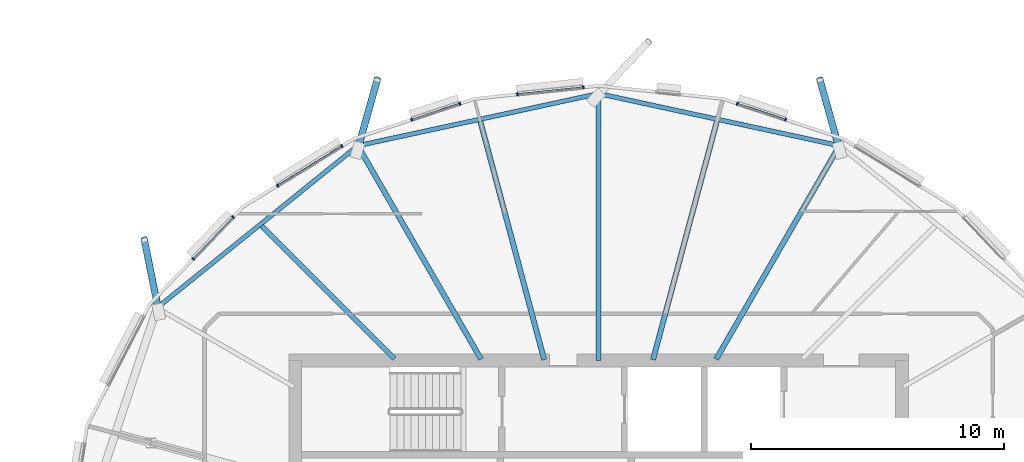
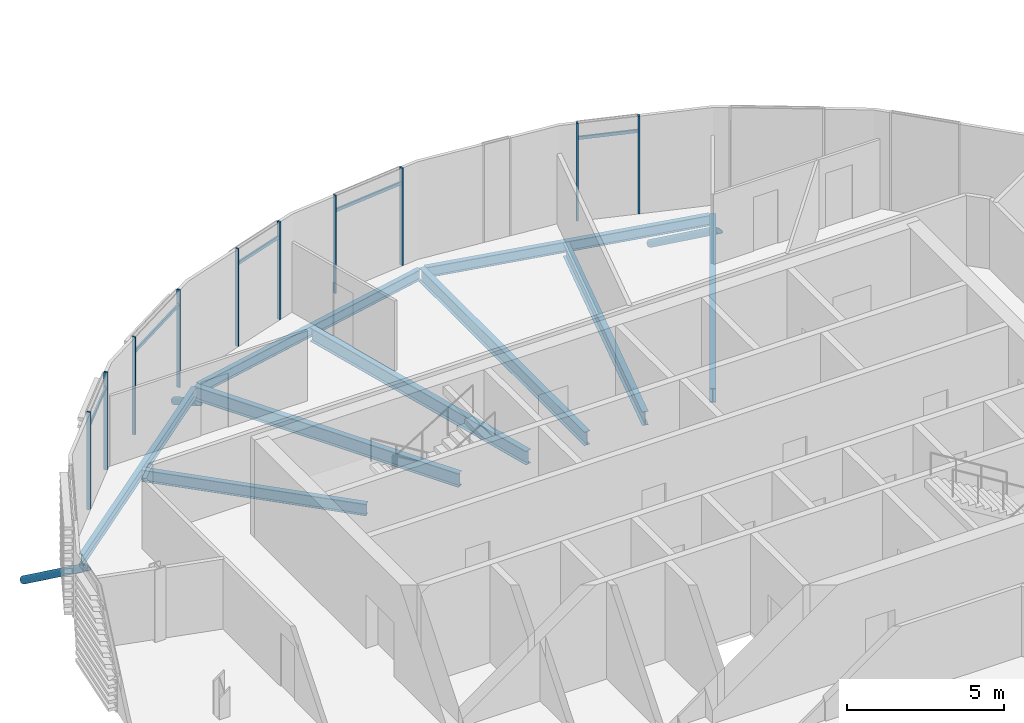
# One storey, part 7 of 41: 18 members, 9 beams, 1 element without a shape of its own.
"""IFC4 building model written with IfcOpenShell, lengths in metres."""

from ifc_helpers import new_model, si_unit, direction, frame, origin, origin_2d, place, context, subcontext, project, spatial, rectangle, hollow_circle, i_section, extrude, clip, halfspace, material, material_profile, profile_set, type_object, element, aggregate, save


model = new_model("IFC4")

# Units and contexts
model_context = context("Model", 3, precision=1e-05, world=origin(), true_north=direction((0.0, 1.0)))
body_context = subcontext(model_context, "Body", "Model", "MODEL_VIEW")
ifc_project = project(units=[si_unit("LENGTHUNIT", "METRE"), si_unit("AREAUNIT", "SQUARE_METRE"), si_unit("VOLUMEUNIT", "CUBIC_METRE"), si_unit("PLANEANGLEUNIT", "RADIAN"), si_unit("MASSUNIT", "GRAM", prefix="KILO")], contexts=[model_context])

# Site, building, storey
site_placement = place(None, origin())
site = spatial("IfcSite", under=ifc_project, at=site_placement, CompositionType="ELEMENT")
building_placement = place(site_placement, origin())
building = spatial("IfcBuilding", under=site, at=building_placement, Name="Rimbun Link Towers", CompositionType="ELEMENT")
storey_placement = place(building_placement, frame((0.0, 0.0, 214.300048828125)))
storey = spatial("IfcBuildingStorey", under=building, at=storey_placement, Name="L52", CompositionType="ELEMENT", Elevation=214.300048828125)

# Curtain wall, members
ifc_material_1 = material(Name="Aluminium 6063-T6 and low-iron glass", Category="aluminium")
curtain_wall_type = type_object("IfcCurtainWallType", Name="CW1-Z4 unitised vision wall (zone 4)", PredefinedType="NOTDEFINED", material=ifc_material_1)
curtain_wall_placement = place(storey_placement, origin())
curtain_wall = element("IfcCurtainWall", 1, at=curtain_wall_placement, inside=storey, type_object=curtain_wall_type, Name="CW1 L52 T1", PredefinedType="NOTDEFINED")
ifc_material_2 = material(Name="Aluminium 6063-T6", Category="aluminium")
ifc_material_profile_1 = material_profile(ifc_material_2, rectangle(XDim=0.1201171875, YDim=0.06005859375, at=origin_2d()), Name="MULLION 60X120")
ifc_profile_set_1 = profile_set([ifc_material_profile_1], Name="Aluminium 6063-T6")
member_type_1 = type_object("IfcMemberType", Name="CW1 mullion 60X120", PredefinedType="MULLION", material=ifc_profile_set_1)
member_1_placement = place(storey_placement, frame((-26.261474609375, 18.156005859375, 0.0), z_axis=(0.0, 0.0, 1.0), x_axis=(0.314578449635, 0.949231478105, 0.0)))
member_1 = element("IfcMember", 2, at=member_1_placement, type_object=member_type_1, Name="CW1 mullion", PredefinedType="MULLION", context=body_context, shape_type="SweptSolid", body=[
    extrude(rectangle(XDim=0.1201171875, YDim=0.06005859375, at=origin_2d()), origin(), (0.0, 0.0, 1.0), 3.800048828125),
])
member_2_placement = place(storey_placement, frame((-24.359619140625, 17.525634765625, 0.0), z_axis=(0.0, 0.0, 1.0), x_axis=(0.314578449635, 0.949231478105, 0.0)))
member_2 = element("IfcMember", 3, at=member_2_placement, type_object=member_type_1, Name="CW1 mullion", PredefinedType="MULLION", context=body_context, shape_type="SweptSolid", body=[
    extrude(rectangle(XDim=0.1201171875, YDim=0.06005859375, at=origin_2d()), origin(), (0.0, 0.0, 1.0), 3.800048828125),
])
member_3_placement = place(storey_placement, frame((-34.9658203125, 18.525390625, 0.0), z_axis=(0.0, 0.0, 1.0), x_axis=(-0.104722816932, 0.994501448774, 0.0)))
member_3 = element("IfcMember", 4, at=member_3_placement, type_object=member_type_1, Name="CW1 mullion", PredefinedType="MULLION", context=body_context, shape_type="SweptSolid", body=[
    extrude(rectangle(XDim=0.1201171875, YDim=0.06005859375, at=origin_2d()), origin(), (0.0, 0.0, 1.0), 3.800048828125),
])
member_4_placement = place(storey_placement, frame((-32.35302734375, 18.800537109375, 0.0), z_axis=(0.0, 0.0, 1.0), x_axis=(-0.104722816932, 0.994501448774, 0.0)))
member_4 = element("IfcMember", 5, at=member_4_placement, type_object=member_type_1, Name="CW1 mullion", PredefinedType="MULLION", context=body_context, shape_type="SweptSolid", body=[
    extrude(rectangle(XDim=0.1201171875, YDim=0.06005859375, at=origin_2d()), origin(), (0.0, 0.0, 1.0), 3.800048828125),
])
member_5_placement = place(storey_placement, frame((-39.140380859375, 17.525634765625, 0.0), z_axis=(0.0, 0.0, 1.0), x_axis=(-0.314578449635, 0.949231478105, 0.0)))
member_5 = element("IfcMember", 6, at=member_5_placement, type_object=member_type_1, Name="CW1 mullion", PredefinedType="MULLION", context=body_context, shape_type="SweptSolid", body=[
    extrude(rectangle(XDim=0.1201171875, YDim=0.06005859375, at=origin_2d()), origin(), (0.0, 0.0, 1.0), 3.800048828125),
])
member_6_placement = place(storey_placement, frame((-37.238525390625, 18.156005859375, 0.0), z_axis=(0.0, 0.0, 1.0), x_axis=(-0.314578449635, 0.949231478105, 0.0)))
member_6 = element("IfcMember", 7, at=member_6_placement, type_object=member_type_1, Name="CW1 mullion", PredefinedType="MULLION", context=body_context, shape_type="SweptSolid", body=[
    extrude(rectangle(XDim=0.1201171875, YDim=0.06005859375, at=origin_2d()), origin(), (0.0, 0.0, 1.0), 3.800048828125),
])
member_7_placement = place(storey_placement, frame((-44.4443359375, 14.914794921875, 0.0), z_axis=(0.0, 0.0, 1.0), x_axis=(-0.523242195727, 0.852184020392, 0.0)))
member_7 = element("IfcMember", 8, at=member_7_placement, type_object=member_type_1, Name="CW1 mullion", PredefinedType="MULLION", context=body_context, shape_type="SweptSolid", body=[
    extrude(rectangle(XDim=0.1201171875, YDim=0.06005859375, at=origin_2d()), origin(), (0.0, 0.0, 1.0), 3.800048828125),
])
member_8_placement = place(storey_placement, frame((-41.89990234375, 16.47705078125, 0.0), z_axis=(0.0, 0.0, 1.0), x_axis=(-0.523242195727, 0.852184020392, 0.0)))
member_8 = element("IfcMember", 9, at=member_8_placement, type_object=member_type_1, Name="CW1 mullion", PredefinedType="MULLION", context=body_context, shape_type="SweptSolid", body=[
    extrude(rectangle(XDim=0.1201171875, YDim=0.06005859375, at=origin_2d()), origin(), (0.0, 0.0, 1.0), 3.800048828125),
])
member_9_placement = place(storey_placement, frame((-47.78271484375, 12.0205078125, 0.0), z_axis=(0.0, 0.0, 1.0), x_axis=(-0.721846446019, 0.692053255443, 0.0)))
member_9 = element("IfcMember", 10, at=member_9_placement, type_object=member_type_1, Name="CW1 mullion", PredefinedType="MULLION", context=body_context, shape_type="SweptSolid", body=[
    extrude(rectangle(XDim=0.1201171875, YDim=0.06005859375, at=origin_2d()), origin(), (0.0, 0.0, 1.0), 3.800048828125),
])
member_10_placement = place(storey_placement, frame((-46.200439453125, 13.6708984375, 0.0), z_axis=(0.0, 0.0, 1.0), x_axis=(-0.721846446019, 0.692053255443, 0.0)))
member_10 = element("IfcMember", 11, at=member_10_placement, type_object=member_type_1, Name="CW1 mullion", PredefinedType="MULLION", context=body_context, shape_type="SweptSolid", body=[
    extrude(rectangle(XDim=0.1201171875, YDim=0.06005859375, at=origin_2d()), origin(), (0.0, 0.0, 1.0), 3.800048828125),
])
ifc_material_3 = material(Name="Aluminium 6063-T6", Category="aluminium")
ifc_material_profile_2 = material_profile(ifc_material_3, rectangle(XDim=0.06005859375, YDim=0.1201171875, at=origin_2d()), Name="TRANSOM 60X120")
ifc_profile_set_2 = profile_set([ifc_material_profile_2], Name="Aluminium 6063-T6")
member_type_2 = type_object("IfcMemberType", Name="CW1 transom 60X120", PredefinedType="USERDEFINED", material=ifc_profile_set_2)
member_11_placement = place(storey_placement, frame((-26.233642578125, 18.14453125, 3.199951171875), z_axis=(0.949247034783, -0.314531503916, 0.0), x_axis=(0.314531503916, 0.949247034783, 0.0)))
member_11 = element("IfcMember", 12, at=member_11_placement, type_object=member_type_2, Name="CW1 transom", ObjectType="TRANSOM", PredefinedType="USERDEFINED", context=body_context, shape_type="SweptSolid", body=[
    extrude(rectangle(XDim=0.06005859375, YDim=0.1201171875, at=origin_2d()), origin(), (0.0, 0.0, 1.0), 1.943603515625),
])
member_12_placement = place(storey_placement, frame((-34.935791015625, 18.526611328125, 3.199951171875), z_axis=(0.994503889604, 0.104699634964, 0.0), x_axis=(-0.104699634964, 0.994503889604, 0.0)))
member_12 = element("IfcMember", 13, at=member_12_placement, type_object=member_type_2, Name="CW1 transom", ObjectType="TRANSOM", PredefinedType="USERDEFINED", context=body_context, shape_type="SweptSolid", body=[
    extrude(rectangle(XDim=0.06005859375, YDim=0.1201171875, at=origin_2d()), origin(), (0.0, 0.0, 1.0), 2.5673828125),
])
member_13_placement = place(storey_placement, frame((-39.111328125, 17.533203125, 3.199951171875), z_axis=(0.949247034783, 0.314531503916, 0.0), x_axis=(-0.314531503916, 0.949247034783, 0.0)))
member_13 = element("IfcMember", 14, at=member_13_placement, type_object=member_type_2, Name="CW1 transom", ObjectType="TRANSOM", PredefinedType="USERDEFINED", context=body_context, shape_type="SweptSolid", body=[
    extrude(rectangle(XDim=0.06005859375, YDim=0.1201171875, at=origin_2d()), origin(), (0.0, 0.0, 1.0), 1.943603515625),
])
member_14_placement = place(storey_placement, frame((-44.417724609375, 14.9287109375, 3.199951171875), z_axis=(0.852176447693, 0.523254528883, 0.0), x_axis=(-0.523254528883, 0.852176447693, 0.0)))
member_14 = element("IfcMember", 15, at=member_14_placement, type_object=member_type_2, Name="CW1 transom", ObjectType="TRANSOM", PredefinedType="USERDEFINED", context=body_context, shape_type="SweptSolid", body=[
    extrude(rectangle(XDim=0.06005859375, YDim=0.1201171875, at=origin_2d()), origin(), (0.0, 0.0, 1.0), 2.926025390625),
])
member_15_placement = place(storey_placement, frame((-47.760498046875, 12.040771484375, 3.199951171875), z_axis=(0.692036343125, 0.721862659925, 0.0), x_axis=(-0.721862659925, 0.692036343125, 0.0)))
member_15 = element("IfcMember", 16, at=member_15_placement, type_object=member_type_2, Name="CW1 transom", ObjectType="TRANSOM", PredefinedType="USERDEFINED", context=body_context, shape_type="SweptSolid", body=[
    extrude(rectangle(XDim=0.06005859375, YDim=0.1201171875, at=origin_2d()), origin(), (0.0, 0.0, 1.0), 2.226318359375),
])
aggregate(curtain_wall, [member_1, member_2, member_3, member_4, member_5, member_6, member_7, member_8, member_9, member_10, member_11, member_12, member_13, member_14, member_15])

# Members
ifc_material_4 = material(Name="Steel S355J2H", Category="steel")
ifc_material_profile_3 = material_profile(ifc_material_4, hollow_circle(Radius=0.136474609375, WallThickness=0.012451171875, at=origin_2d()), Name="CHS 273x12.5")
ifc_profile_set_3 = profile_set([ifc_material_profile_3], Name="Steel S355J2H")
member_type_3 = type_object("IfcMemberType", Name="Floor edge link CHS 273x12.5", PredefinedType="BRACE", material=ifc_profile_set_3)
for number, where, z_axis, x_axis, name in (
    (17, (-22.2529296875, 16.44921875, -0.786865234375), (-0.225012648098, 0.801848695828, -0.553541305772), (-0.962809534612, -0.270181050521, 0.0), "Floor edge link T1 L52 04"),
    (18, (-41.2470703125, 16.44921875, -0.786865234375), (0.225012648098, 0.801848695828, -0.553541305772), (-0.962809534612, 0.270181050521, 0.0), "Floor edge link T1 L52 08"),
):
    element("IfcMember", number, at=place(storey_placement, frame(where, z_axis=z_axis, x_axis=x_axis)), inside=storey, type_object=member_type_3, Name=name, PredefinedType="BRACE", context=body_context, shape_type="Clipping", body=[
        clip(extrude(hollow_circle(Radius=0.136474609375, WallThickness=0.012451171875, at=origin_2d()), frame((0.0, 0.0, -0.4287109375)), (0.0, 0.0, 1.0), 3.782470703125), halfspace(frame((0.0, 0.0, -0.201904296875), z_axis=(0.0, 0.832821723303, -0.553541305772)), False)),
    ])
member_16_placement = place(storey_placement, frame((-49.168701171875, 10.056640625, -0.607421875), z_axis=(-0.16139199476, 0.806888561414, -0.568228363853), x_axis=(-0.980577337686, -0.196132824424, 0.0)))
element("IfcMember", 19, at=member_16_placement, inside=storey, type_object=member_type_3, Name="Floor edge link T1 L52 10", PredefinedType="BRACE", context=body_context, shape_type="Clipping", body=[
    clip(extrude(hollow_circle(Radius=0.136474609375, WallThickness=0.012451171875, at=origin_2d()), frame((0.0, 0.0, -0.412841796875)), (0.0, 0.0, 1.0), 3.83154296875), halfspace(frame((0.0, 0.0, -0.1943359375), z_axis=(0.0, 0.822870905132, -0.568228363853)), False)),
])

# Beams
ifc_material_5 = material(Name="Steel S355J2", Category="steel")
ifc_material_profile_4 = material_profile(ifc_material_5, i_section(OverallWidth=0.177978515625, OverallDepth=0.406494140625, WebThickness=0.0078125, FlangeThickness=0.0126953125, at=origin_2d()), Name="UB 406x178x60")
ifc_profile_set_4 = profile_set([ifc_material_profile_4], Name="Steel S355J2")
beam_type_1 = type_object("IfcBeamType", Name="UB 406x178x60", PredefinedType="BEAM", material=ifc_profile_set_4)
for number, where, z_axis, x_axis, name in (
    (20, (-22.33642578125, 16.51611328125, -0.34326171875), (-0.977394267273, 0.211424800582, 0.0), (-0.211424800582, -0.977394267273, 0.0), "Edge beam T1 L52 04-06"),
    (21, (-31.855712890625, 18.529541015625, -0.34326171875), (-0.977394267273, -0.211424800582, 0.0), (0.211424800582, -0.977394267273, 0.0), "Edge beam T1 L52 06-08"),
):
    element("IfcBeam", number, at=place(storey_placement, frame(where, z_axis=z_axis, x_axis=x_axis)), inside=storey, type_object=beam_type_1, Name=name, PredefinedType="BEAM", context=body_context, shape_type="SweptSolid", body=[
        extrude(i_section(OverallWidth=0.177978515625, OverallDepth=0.406494140625, WebThickness=0.0078125, FlangeThickness=0.0126953125, at=origin_2d()), origin(), (0.0, 0.0, 1.0), 9.523193359375),
    ])
beam_1_placement = place(storey_placement, frame((-41.355224609375, 16.425537109375, -0.34326171875), z_axis=(-0.778027876304, -0.628229753907, 0.0), x_axis=(0.628229753907, -0.778027876304, 0.0)))
element("IfcBeam", 22, at=beam_1_placement, inside=storey, type_object=beam_type_1, Name="Edge beam T1 L52 08-10", PredefinedType="BEAM", context=body_context, shape_type="SweptSolid", body=[
    extrude(i_section(OverallWidth=0.177978515625, OverallDepth=0.406494140625, WebThickness=0.0078125, FlangeThickness=0.0126953125, at=origin_2d()), origin(), (0.0, 0.0, 1.0), 10.00537109375),
])
ifc_material_6 = material(Name="Steel S355J2", Category="steel")
ifc_material_profile_5 = material_profile(ifc_material_6, i_section(OverallWidth=0.18994140625, OverallDepth=0.453369140625, WebThickness=0.008544921875, FlangeThickness=0.0126953125, at=origin_2d()), Name="UB 457x191x67")
ifc_profile_set_5 = profile_set([ifc_material_profile_5], Name="Steel S355J2")
beam_type_2 = type_object("IfcBeamType", Name="UB 457x191x67", PredefinedType="BEAM", material=ifc_profile_set_5)
beam_2_placement = place(storey_placement, frame((-39.81787109375, 8.06787109375, -0.36669921875), z_axis=(-0.707106781187, 0.707106781187, 0.0), x_axis=(-0.707106781187, -0.707106781187, 0.0)))
element("IfcBeam", 23, at=beam_2_placement, inside=storey, type_object=beam_type_2, Name="Radial beam T1 L52 09", PredefinedType="BEAM", context=body_context, shape_type="SweptSolid", body=[
    extrude(i_section(OverallWidth=0.18994140625, OverallDepth=0.453369140625, WebThickness=0.008544921875, FlangeThickness=0.0126953125, at=origin_2d()), origin(), (0.0, 0.0, 1.0), 7.420166015625),
])
ifc_material_7 = material(Name="Steel S355J2", Category="steel")
ifc_material_profile_6 = material_profile(ifc_material_7, i_section(OverallWidth=0.209228515625, OverallDepth=0.533203125, WebThickness=0.010009765625, FlangeThickness=0.015625, at=origin_2d()), Name="UB 533x210x92")
ifc_profile_set_6 = profile_set([ifc_material_profile_6], Name="Steel S355J2")
beam_type_3 = type_object("IfcBeamType", Name="UB 533x210x92", PredefinedType="BEAM", material=ifc_profile_set_6)
beam_3_placement = place(storey_placement, frame((-27.1005859375, 8.05322265625, -0.406494140625), z_axis=(0.50000292919, 0.866023712609, 0.0), x_axis=(-0.866023712609, 0.50000292919, 0.0)))
element("IfcBeam", 24, at=beam_3_placement, inside=storey, type_object=beam_type_3, Name="Radial beam T1 L52 04", PredefinedType="BEAM", context=body_context, shape_type="SweptSolid", body=[
    extrude(i_section(OverallWidth=0.209228515625, OverallDepth=0.533203125, WebThickness=0.010009765625, FlangeThickness=0.015625, at=origin_2d()), origin(), (0.0, 0.0, 1.0), 9.7451171875),
])
beam_4_placement = place(storey_placement, frame((-29.598876953125, 8.028076171875, -0.406494140625), z_axis=(0.258804484658, 0.965929727631, 0.0), x_axis=(-0.965929727631, 0.258804484658, 0.0)))
element("IfcBeam", 25, at=beam_4_placement, inside=storey, type_object=beam_type_3, Name="Radial beam T1 L52 05", PredefinedType="BEAM", context=body_context, shape_type="SweptSolid", body=[
    extrude(i_section(OverallWidth=0.209228515625, OverallDepth=0.533203125, WebThickness=0.010009765625, FlangeThickness=0.015625, at=origin_2d()), origin(), (0.0, 0.0, 1.0), 9.753173828125),
])
beam_5_placement = place(storey_placement, frame((-31.75, 8.0009765625, -0.406494140625), z_axis=(0.0, 1.0, 0.0), x_axis=(-1.0, 0.0, 0.0)))
element("IfcBeam", 26, at=beam_5_placement, inside=storey, type_object=beam_type_3, Name="Radial beam T1 L52 06", PredefinedType="BEAM", context=body_context, shape_type="SweptSolid", body=[
    extrude(i_section(OverallWidth=0.209228515625, OverallDepth=0.533203125, WebThickness=0.010009765625, FlangeThickness=0.015625, at=origin_2d()), origin(), (0.0, 0.0, 1.0), 10.55126953125),
])
beam_6_placement = place(storey_placement, frame((-33.901123046875, 8.028076171875, -0.406494140625), z_axis=(-0.258804484658, 0.965929727631, 0.0), x_axis=(-0.965929727631, -0.258804484658, 0.0)))
element("IfcBeam", 27, at=beam_6_placement, inside=storey, type_object=beam_type_3, Name="Radial beam T1 L52 07", PredefinedType="BEAM", context=body_context, shape_type="SweptSolid", body=[
    extrude(i_section(OverallWidth=0.209228515625, OverallDepth=0.533203125, WebThickness=0.010009765625, FlangeThickness=0.015625, at=origin_2d()), origin(), (0.0, 0.0, 1.0), 9.753173828125),
])
beam_7_placement = place(storey_placement, frame((-36.3994140625, 8.05322265625, -0.406494140625), z_axis=(-0.50000292919, 0.866023712609, 0.0), x_axis=(-0.866023712609, -0.50000292919, 0.0)))
element("IfcBeam", 28, at=beam_7_placement, inside=storey, type_object=beam_type_3, Name="Radial beam T1 L52 08", PredefinedType="BEAM", context=body_context, shape_type="SweptSolid", body=[
    extrude(i_section(OverallWidth=0.209228515625, OverallDepth=0.533203125, WebThickness=0.010009765625, FlangeThickness=0.015625, at=origin_2d()), origin(), (0.0, 0.0, 1.0), 9.7451171875),
])

save(model, "model.ifc")
